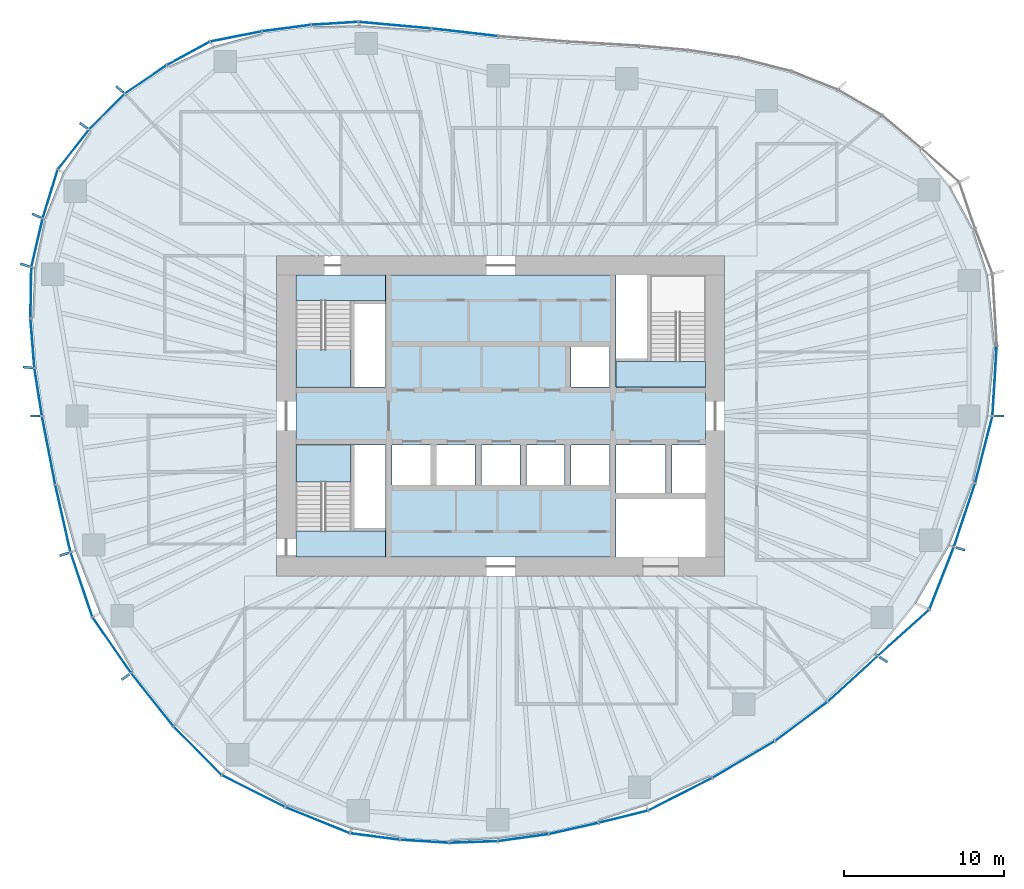
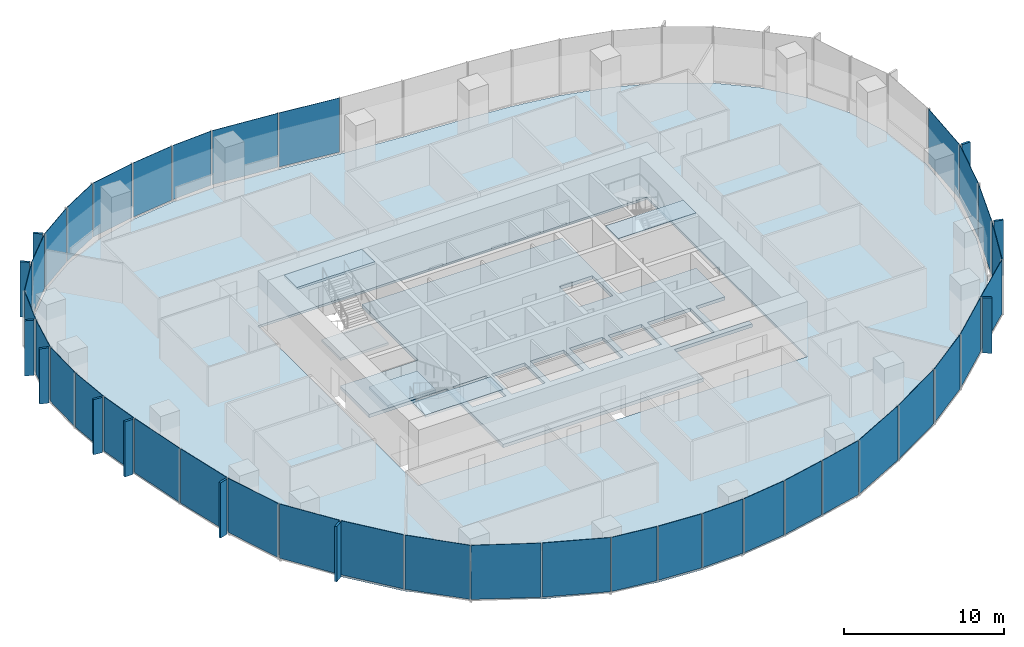
# One storey, part 7 of 18: 48 plates, 7 slabs, 19 elements without a shape of their own.
"""IFC4 building model written with IfcOpenShell, lengths in metres."""

from ifc_helpers import new_model, si_unit, direction, frame, origin, origin_2d, place, context, subcontext, project, spatial, polyline, rectangle, outline, extrude, material, layer, layer_set, type_object, element, aggregate, save


model = new_model("IFC4")

# Units and contexts
model_context = context("Model", 3, precision=1e-05, world=origin(), true_north=direction((0.0, 1.0)))
body_context = subcontext(model_context, "Body", "Model", "MODEL_VIEW")
ifc_project = project(units=[si_unit("LENGTHUNIT", "METRE"), si_unit("AREAUNIT", "SQUARE_METRE"), si_unit("VOLUMEUNIT", "CUBIC_METRE"), si_unit("PLANEANGLEUNIT", "RADIAN"), si_unit("MASSUNIT", "GRAM", prefix="KILO")], contexts=[model_context])

# Site, building, storey
site_placement = place(None, origin())
site = spatial("IfcSite", under=ifc_project, at=site_placement, CompositionType="ELEMENT")
building_placement = place(site_placement, origin())
building = spatial("IfcBuilding", under=site, at=building_placement, Name="Ghaith Harvest Tower", CompositionType="ELEMENT")
storey_placement = place(building_placement, frame((0.0, 0.0, 163.800048828125)))
storey = spatial("IfcBuildingStorey", under=building, at=storey_placement, Name="L35", CompositionType="ELEMENT", Elevation=163.800048828125)

# Curtain wall, plate
ifc_material_1 = material(Name="Black anodised aluminium and fritted glass", Category="aluminium")
curtain_wall_type = type_object("IfcCurtainWallType", Name="CW-L CURTAIN WALL", PredefinedType="NOTDEFINED", material=ifc_material_1)
curtain_wall_1_placement = place(storey_placement, origin())
curtain_wall_1 = element("IfcCurtainWall", 1, at=curtain_wall_1_placement, inside=storey, type_object=curtain_wall_type, Name="Curtain wall CW-L bay 01 L35", PredefinedType="NOTDEFINED")
ifc_material_2 = material(Name="Glass, dark solar-control fritted double glazed unit", Category="glass")
ifc_layer_1 = layer(ifc_material_2, 0.031982421875)
ifc_layer_set_1 = layer_set([ifc_layer_1], Name="CW-L VISION PANEL")
plate_type_1 = type_object("IfcPlateType", Name="CW-L VISION PANEL", PredefinedType="CURTAIN_PANEL", material=ifc_layer_set_1)
plate_1_placement = place(storey_placement, frame((30.86376953125, 2.19482421875, 0.079833984375), z_axis=(0.0, 0.0, 1.0), x_axis=(0.061379619468, 0.99811449359, 0.0)))
plate_1 = element("IfcPlate", 2, at=plate_1_placement, type_object=plate_type_1, Name="CW-L glass unit 1 bay 01 L35", PredefinedType="CURTAIN_PANEL", context=body_context, shape_type="SweptSolid", body=[
    extrude(rectangle(XDim=4.318115234375, YDim=0.031982421875, at=origin_2d()), origin(), (0.0, 0.0, 1.0), 4.1201171875),
])
aggregate(curtain_wall_1, [plate_1])

# Curtain wall, plates
curtain_wall_2_placement = place(storey_placement, origin())
curtain_wall_2 = element("IfcCurtainWall", 3, at=curtain_wall_2_placement, inside=storey, type_object=curtain_wall_type, Name="Curtain wall CW-L bay 06 L35", PredefinedType="NOTDEFINED")
plate_2_placement = place(storey_placement, frame((-2.24267578125, 23.968505859375, 0.079833984375), z_axis=(0.0, 0.0, 1.0), x_axis=(-0.993477024646, 0.114032458099, 0.0)))
plate_2 = element("IfcPlate", 4, at=plate_2_placement, type_object=plate_type_1, Name="CW-L glass unit 1 bay 06 L35", PredefinedType="CURTAIN_PANEL", context=body_context, shape_type="SweptSolid", body=[
    extrude(rectangle(XDim=4.10791015625, YDim=0.031982421875, at=origin_2d()), origin(), (0.0, 0.0, 1.0), 4.1201171875),
])
plate_3_placement = place(storey_placement, frame((-6.607666015625, 24.4140625, 0.079833984375), z_axis=(0.0, 0.0, 1.0), x_axis=(-0.995928776302, 0.090143621701, 0.0)))
plate_3 = element("IfcPlate", 5, at=plate_3_placement, type_object=plate_type_1, Name="CW-L glass unit 2 bay 06 L35", PredefinedType="CURTAIN_PANEL", context=body_context, shape_type="SweptSolid", body=[
    extrude(rectangle(XDim=4.508056640625, YDim=0.031982421875, at=origin_2d()), origin(), (0.0, 0.0, 1.0), 4.1201171875),
])
aggregate(curtain_wall_2, [plate_2, plate_3])

curtain_wall_3_placement = place(storey_placement, origin())
curtain_wall_3 = element("IfcCurtainWall", 6, at=curtain_wall_3_placement, inside=storey, type_object=curtain_wall_type, Name="Curtain wall CW-L bay 07 L35", PredefinedType="NOTDEFINED")
plate_4_placement = place(storey_placement, frame((-10.36669921875, 24.5302734375, 0.079833984375), z_axis=(0.0, 0.0, 1.0), x_axis=(-0.998119199641, -0.061303044853, 0.0)))
plate_4 = element("IfcPlate", 7, at=plate_4_placement, type_object=plate_type_1, Name="CW-L glass unit 1 bay 07 L35", PredefinedType="CURTAIN_PANEL", context=body_context, shape_type="SweptSolid", body=[
    extrude(rectangle(XDim=2.874267578125, YDim=0.031982421875, at=origin_2d()), origin(), (0.0, 0.0, 1.0), 4.1201171875),
])
plate_5_placement = place(storey_placement, frame((-13.382568359375, 24.23486328125, 0.079833984375), z_axis=(0.0, 0.0, 1.0), x_axis=(-0.991285895369, -0.131728029071, 0.0)))
plate_5 = element("IfcPlate", 8, at=plate_5_placement, type_object=plate_type_1, Name="CW-L glass unit 2 bay 07 L35", PredefinedType="CURTAIN_PANEL", context=body_context, shape_type="SweptSolid", body=[
    extrude(rectangle(XDim=3.02978515625, YDim=0.031982421875, at=origin_2d()), origin(), (0.0, 0.0, 1.0), 4.1201171875),
])
plate_6_placement = place(storey_placement, frame((-16.54443359375, 23.7099609375, 0.079833984375), z_axis=(0.0, 0.0, 1.0), x_axis=(-0.981037550101, -0.193817763096, 0.0)))
plate_6 = element("IfcPlate", 9, at=plate_6_placement, type_object=plate_type_1, Name="CW-L glass unit 3 bay 07 L35", PredefinedType="CURTAIN_PANEL", context=body_context, shape_type="SweptSolid", body=[
    extrude(rectangle(XDim=3.22412109375, YDim=0.031982421875, at=origin_2d()), origin(), (0.0, 0.0, 1.0), 4.1201171875),
])
aggregate(curtain_wall_3, [plate_4, plate_5, plate_6])

curtain_wall_4_placement = place(storey_placement, origin())
curtain_wall_4 = element("IfcCurtainWall", 10, at=curtain_wall_4_placement, inside=storey, type_object=curtain_wall_type, Name="Curtain wall CW-L bay 08 L35", PredefinedType="NOTDEFINED")
plate_7_placement = place(storey_placement, frame((-19.520263671875, 22.650634765625, 0.079833984375), z_axis=(0.0, 0.0, 1.0), x_axis=(-0.877940384665, -0.478769966659, 0.0)))
plate_7 = element("IfcPlate", 11, at=plate_7_placement, type_object=plate_type_1, Name="CW-L glass unit 1 bay 08 L35", PredefinedType="CURTAIN_PANEL", context=body_context, shape_type="SweptSolid", body=[
    extrude(rectangle(XDim=3.007080078125, YDim=0.031982421875, at=origin_2d()), origin(), (0.0, 0.0, 1.0), 4.1201171875),
])
plate_8_placement = place(storey_placement, frame((-22.182373046875, 21.025390625, 0.079833984375), z_axis=(0.0, 0.0, 1.0), x_axis=(-0.827674847773, -0.561207935051, 0.0)))
plate_8 = element("IfcPlate", 12, at=plate_8_placement, type_object=plate_type_1, Name="CW-L glass unit 2 bay 08 L35", PredefinedType="CURTAIN_PANEL", context=body_context, shape_type="SweptSolid", body=[
    extrude(rectangle(XDim=3.078369140625, YDim=0.031982421875, at=origin_2d()), origin(), (0.0, 0.0, 1.0), 4.1201171875),
])
plate_9_placement = place(storey_placement, frame((-24.603759765625, 19.01708984375, 0.079833984375), z_axis=(0.0, 0.0, 1.0), x_axis=(-0.704613943896, -0.709590861037, 0.0)))
plate_9 = element("IfcPlate", 13, at=plate_9_placement, type_object=plate_type_1, Name="CW-L glass unit 3 bay 08 L35", PredefinedType="CURTAIN_PANEL", context=body_context, shape_type="SweptSolid", body=[
    extrude(rectangle(XDim=3.0830078125, YDim=0.031982421875, at=origin_2d()), origin(), (0.0, 0.0, 1.0), 4.1201171875),
])
aggregate(curtain_wall_4, [plate_7, plate_8, plate_9])

curtain_wall_5_placement = place(storey_placement, origin())
curtain_wall_5 = element("IfcCurtainWall", 14, at=curtain_wall_5_placement, inside=storey, type_object=curtain_wall_type, Name="Curtain wall CW-L bay 09 L35", PredefinedType="NOTDEFINED")
plate_10_placement = place(storey_placement, frame((-26.69873046875, 16.644775390625, 0.079833984375), z_axis=(0.0, 0.0, 1.0), x_axis=(-0.617140806324, -0.786852734106, 0.0)))
plate_10 = element("IfcPlate", 15, at=plate_10_placement, type_object=plate_type_1, Name="CW-L glass unit 1 bay 09 L35", PredefinedType="CURTAIN_PANEL", context=body_context, shape_type="SweptSolid", body=[
    extrude(rectangle(XDim=3.09765625, YDim=0.031982421875, at=origin_2d()), origin(), (0.0, 0.0, 1.0), 4.1201171875),
])
plate_11_placement = place(storey_placement, frame((-28.14794921875, 13.869140625, 0.079833984375), z_axis=(0.0, 0.0, 1.0), x_axis=(-0.293802674087, -0.955866093498, 0.0)))
plate_11 = element("IfcPlate", 16, at=plate_11_placement, type_object=plate_type_1, Name="CW-L glass unit 2 bay 09 L35", PredefinedType="CURTAIN_PANEL", context=body_context, shape_type="SweptSolid", body=[
    extrude(rectangle(XDim=3.111328125, YDim=0.031982421875, at=origin_2d()), origin(), (0.0, 0.0, 1.0), 4.1201171875),
])
plate_12_placement = place(storey_placement, frame((-28.9716796875, 10.819091796875, 0.079833984375), z_axis=(0.0, 0.0, 1.0), x_axis=(-0.226698962458, -0.973964876379, 0.0)))
plate_12 = element("IfcPlate", 17, at=plate_12_placement, type_object=plate_type_1, Name="CW-L glass unit 3 bay 09 L35", PredefinedType="CURTAIN_PANEL", context=body_context, shape_type="SweptSolid", body=[
    extrude(rectangle(XDim=3.05126953125, YDim=0.031982421875, at=origin_2d()), origin(), (0.0, 0.0, 1.0), 4.1201171875),
])
aggregate(curtain_wall_5, [plate_10, plate_11, plate_12])

curtain_wall_6_placement = place(storey_placement, origin())
curtain_wall_6 = element("IfcCurtainWall", 18, at=curtain_wall_6_placement, inside=storey, type_object=curtain_wall_type, Name="Curtain wall CW-L bay 10 L35", PredefinedType="NOTDEFINED")
plate_13_placement = place(storey_placement, frame((-29.352294921875, 7.695068359375, 0.079833984375), z_axis=(0.0, 0.0, 1.0), x_axis=(-0.016034106433, -0.999871445452, 0.0)))
plate_13 = element("IfcPlate", 19, at=plate_13_placement, type_object=plate_type_1, Name="CW-L glass unit 1 bay 10 L35", PredefinedType="CURTAIN_PANEL", context=body_context, shape_type="SweptSolid", body=[
    extrude(rectangle(XDim=3.118408203125, YDim=0.031982421875, at=origin_2d()), origin(), (0.0, 0.0, 1.0), 4.1201171875),
])
plate_14_placement = place(storey_placement, frame((-29.25439453125, 4.54345703125, 0.079833984375), z_axis=(0.0, 0.0, 1.0), x_axis=(0.079273335663, -0.996852917061, 0.0)))
plate_14 = element("IfcPlate", 20, at=plate_14_placement, type_object=plate_type_1, Name="CW-L glass unit 2 bay 10 L35", PredefinedType="CURTAIN_PANEL", context=body_context, shape_type="SweptSolid", body=[
    extrude(rectangle(XDim=3.035400390625, YDim=0.031982421875, at=origin_2d()), origin(), (0.0, 0.0, 1.0), 4.1201171875),
])
plate_15_placement = place(storey_placement, frame((-28.896240234375, 1.495361328125, 0.079833984375), z_axis=(0.0, 0.0, 1.0), x_axis=(0.155172175389, -0.987887440949, 0.0)))
plate_15 = element("IfcPlate", 21, at=plate_15_placement, type_object=plate_type_1, Name="CW-L glass unit 3 bay 10 L35", PredefinedType="CURTAIN_PANEL", context=body_context, shape_type="SweptSolid", body=[
    extrude(rectangle(XDim=2.947265625, YDim=0.031982421875, at=origin_2d()), origin(), (0.0, 0.0, 1.0), 4.1201171875),
])
aggregate(curtain_wall_6, [plate_13, plate_14, plate_15])

curtain_wall_7_placement = place(storey_placement, origin())
curtain_wall_7 = element("IfcCurtainWall", 22, at=curtain_wall_7_placement, inside=storey, type_object=curtain_wall_type, Name="Curtain wall CW-L bay 11 L35", PredefinedType="NOTDEFINED")
plate_16_placement = place(storey_placement, frame((-28.24462890625, -2.152099609375, 0.079833984375), z_axis=(0.0, 0.0, 1.0), x_axis=(0.190044913274, -0.981775397399, 0.0)))
plate_16 = element("IfcPlate", 23, at=plate_16_placement, type_object=plate_type_1, Name="CW-L glass unit 1 bay 11 L35", PredefinedType="CURTAIN_PANEL", context=body_context, shape_type="SweptSolid", body=[
    extrude(rectangle(XDim=4.303955078125, YDim=0.031982421875, at=origin_2d()), origin(), (0.0, 0.0, 1.0), 4.1201171875),
])
plate_17_placement = place(storey_placement, frame((-27.351806640625, -6.41064453125, 0.079833984375), z_axis=(0.0, 0.0, 1.0), x_axis=(0.220483469245, -0.975390711351, 0.0)))
plate_17 = element("IfcPlate", 24, at=plate_17_placement, type_object=plate_type_1, Name="CW-L glass unit 2 bay 11 L35", PredefinedType="CURTAIN_PANEL", context=body_context, shape_type="SweptSolid", body=[
    extrude(rectangle(XDim=4.239501953125, YDim=0.031982421875, at=origin_2d()), origin(), (0.0, 0.0, 1.0), 4.1201171875),
])
aggregate(curtain_wall_7, [plate_16, plate_17])

curtain_wall_8_placement = place(storey_placement, origin())
curtain_wall_8 = element("IfcCurtainWall", 25, at=curtain_wall_8_placement, inside=storey, type_object=curtain_wall_type, Name="Curtain wall CW-L bay 12 L35", PredefinedType="NOTDEFINED")
plate_18_placement = place(storey_placement, frame((-26.194580078125, -10.537841796875, 0.079833984375), z_axis=(0.0, 0.0, 1.0), x_axis=(0.319477383729, -0.947593901039, 0.0)))
plate_18 = element("IfcPlate", 26, at=plate_18_placement, type_object=plate_type_1, Name="CW-L glass unit 1 bay 12 L35", PredefinedType="CURTAIN_PANEL", context=body_context, shape_type="SweptSolid", body=[
    extrude(rectangle(XDim=4.184326171875, YDim=0.031982421875, at=origin_2d()), origin(), (0.0, 0.0, 1.0), 4.1201171875),
])
plate_19_placement = place(storey_placement, frame((-24.3017578125, -14.312255859375, 0.079833984375), z_axis=(0.0, 0.0, 1.0), x_axis=(0.568347699633, -0.822788485774, 0.0)))
plate_19 = element("IfcPlate", 27, at=plate_19_placement, type_object=plate_type_1, Name="CW-L glass unit 2 bay 12 L35", PredefinedType="CURTAIN_PANEL", context=body_context, shape_type="SweptSolid", body=[
    extrude(rectangle(XDim=4.18359375, YDim=0.031982421875, at=origin_2d()), origin(), (0.0, 0.0, 1.0), 4.1201171875),
])
aggregate(curtain_wall_8, [plate_18, plate_19])

curtain_wall_9_placement = place(storey_placement, origin())
curtain_wall_9 = element("IfcCurtainWall", 28, at=curtain_wall_9_placement, inside=storey, type_object=curtain_wall_type, Name="Curtain wall CW-L bay 13 L35", PredefinedType="NOTDEFINED")
plate_20_placement = place(storey_placement, frame((-21.765625, -17.7314453125, 0.079833984375), z_axis=(0.0, 0.0, 1.0), x_axis=(0.622507360482, -0.782613944513, 0.0)))
plate_20 = element("IfcPlate", 29, at=plate_20_placement, type_object=plate_type_1, Name="CW-L glass unit 1 bay 13 L35", PredefinedType="CURTAIN_PANEL", context=body_context, shape_type="SweptSolid", body=[
    extrude(rectangle(XDim=4.175537109375, YDim=0.031982421875, at=origin_2d()), origin(), (0.0, 0.0, 1.0), 4.1201171875),
])
plate_21_placement = place(storey_placement, frame((-18.935791015625, -20.920166015625, 0.079833984375), z_axis=(0.0, 0.0, 1.0), x_axis=(0.702843151286, -0.711344856375, 0.0)))
plate_21 = element("IfcPlate", 30, at=plate_21_placement, type_object=plate_type_1, Name="CW-L glass unit 2 bay 13 L35", PredefinedType="CURTAIN_PANEL", context=body_context, shape_type="SweptSolid", body=[
    extrude(rectangle(XDim=4.203369140625, YDim=0.031982421875, at=origin_2d()), origin(), (0.0, 0.0, 1.0), 4.1201171875),
])
aggregate(curtain_wall_9, [plate_20, plate_21])

curtain_wall_10_placement = place(storey_placement, origin())
curtain_wall_10 = element("IfcCurtainWall", 31, at=curtain_wall_10_placement, inside=storey, type_object=curtain_wall_type, Name="Curtain wall CW-L bay 14 L35", PredefinedType="NOTDEFINED")
plate_22_placement = place(storey_placement, frame((-15.44677734375, -23.443115234375, 0.079833984375), z_axis=(0.0, 0.0, 1.0), x_axis=(0.893062297869, -0.449933030712, 0.0)))
plate_22 = element("IfcPlate", 32, at=plate_22_placement, type_object=plate_type_1, Name="CW-L glass unit 1 bay 14 L35", PredefinedType="CURTAIN_PANEL", context=body_context, shape_type="SweptSolid", body=[
    extrude(rectangle(XDim=4.362548828125, YDim=0.031982421875, at=origin_2d()), origin(), (0.0, 0.0, 1.0), 4.1201171875),
])
plate_23_placement = place(storey_placement, frame((-11.441162109375, -25.260498046875, 0.079833984375), z_axis=(0.0, 0.0, 1.0), x_axis=(0.927002522537, -0.375055093567, 0.0)))
plate_23 = element("IfcPlate", 33, at=plate_23_placement, type_object=plate_type_1, Name="CW-L glass unit 2 bay 14 L35", PredefinedType="CURTAIN_PANEL", context=body_context, shape_type="SweptSolid", body=[
    extrude(rectangle(XDim=4.282470703125, YDim=0.031982421875, at=origin_2d()), origin(), (0.0, 0.0, 1.0), 4.1201171875),
])
aggregate(curtain_wall_10, [plate_22, plate_23])

curtain_wall_11_placement = place(storey_placement, origin())
curtain_wall_11 = element("IfcCurtainWall", 34, at=curtain_wall_11_placement, inside=storey, type_object=curtain_wall_type, Name="Curtain wall CW-L bay 15 L35", PredefinedType="NOTDEFINED")
plate_24_placement = place(storey_placement, frame((-7.856689453125, -26.281005859375, 0.079833984375), z_axis=(0.0, 0.0, 1.0), x_axis=(0.99172348392, -0.128392100386, 0.0)))
plate_24 = element("IfcPlate", 35, at=plate_24_placement, type_object=plate_type_1, Name="CW-L glass unit 1 bay 15 L35", PredefinedType="CURTAIN_PANEL", context=body_context, shape_type="SweptSolid", body=[
    extrude(rectangle(XDim=3.07080078125, YDim=0.031982421875, at=origin_2d()), origin(), (0.0, 0.0, 1.0), 4.1201171875),
])
plate_25_placement = place(storey_placement, frame((-4.7568359375, -26.57958984375, 0.079833984375), z_axis=(0.0, 0.0, 1.0), x_axis=(0.998038280843, -0.062606628824, 0.0)))
plate_25 = element("IfcPlate", 36, at=plate_25_placement, type_object=plate_type_1, Name="CW-L glass unit 2 bay 15 L35", PredefinedType="CURTAIN_PANEL", context=body_context, shape_type="SweptSolid", body=[
    extrude(rectangle(XDim=3.001220703125, YDim=0.031982421875, at=origin_2d()), origin(), (0.0, 0.0, 1.0), 4.1201171875),
])
plate_26_placement = place(storey_placement, frame((-1.700439453125, -26.624755859375, 0.079833984375), z_axis=(0.0, 0.0, 1.0), x_axis=(0.999431515426, 0.033714180603, 0.0)))
plate_26 = element("IfcPlate", 37, at=plate_26_placement, type_object=plate_type_1, Name="CW-L glass unit 3 bay 15 L35", PredefinedType="CURTAIN_PANEL", context=body_context, shape_type="SweptSolid", body=[
    extrude(rectangle(XDim=2.958984375, YDim=0.031982421875, at=origin_2d()), origin(), (0.0, 0.0, 1.0), 4.1201171875),
])
aggregate(curtain_wall_11, [plate_24, plate_25, plate_26])

curtain_wall_12_placement = place(storey_placement, origin())
curtain_wall_12 = element("IfcCurtainWall", 38, at=curtain_wall_12_placement, inside=storey, type_object=curtain_wall_type, Name="Curtain wall CW-L bay 16 L35", PredefinedType="NOTDEFINED")
plate_27_placement = place(storey_placement, frame((1.4140625, -26.3515625, 0.079833984375), z_axis=(0.0, 0.0, 1.0), x_axis=(0.990448098003, 0.137886058621, 0.0)))
plate_27 = element("IfcPlate", 39, at=plate_27_placement, type_object=plate_type_1, Name="CW-L glass unit 1 bay 16 L35", PredefinedType="CURTAIN_PANEL", context=body_context, shape_type="SweptSolid", body=[
    extrude(rectangle(XDim=3.142578125, YDim=0.031982421875, at=origin_2d()), origin(), (0.0, 0.0, 1.0), 4.1201171875),
])
plate_28_placement = place(storey_placement, frame((4.565185546875, -25.77734375, 0.079833984375), z_axis=(0.0, 0.0, 1.0), x_axis=(0.975341754172, 0.220699937852, 0.0)))
plate_28 = element("IfcPlate", 40, at=plate_28_placement, type_object=plate_type_1, Name="CW-L glass unit 2 bay 16 L35", PredefinedType="CURTAIN_PANEL", context=body_context, shape_type="SweptSolid", body=[
    extrude(rectangle(XDim=3.10888671875, YDim=0.031982421875, at=origin_2d()), origin(), (0.0, 0.0, 1.0), 4.1201171875),
])
plate_29_placement = place(storey_placement, frame((7.66845703125, -25.0400390625, 0.079833984375), z_axis=(0.0, 0.0, 1.0), x_axis=(0.970384283801, 0.241566433413, 0.0)))
plate_29 = element("IfcPlate", 41, at=plate_29_placement, type_object=plate_type_1, Name="CW-L glass unit 3 bay 16 L35", PredefinedType="CURTAIN_PANEL", context=body_context, shape_type="SweptSolid", body=[
    extrude(rectangle(XDim=3.111083984375, YDim=0.031982421875, at=origin_2d()), origin(), (0.0, 0.0, 1.0), 4.1201171875),
])
aggregate(curtain_wall_12, [plate_27, plate_28, plate_29])

curtain_wall_13_placement = place(storey_placement, origin())
curtain_wall_13 = element("IfcCurtainWall", 42, at=curtain_wall_13_placement, inside=storey, type_object=curtain_wall_type, Name="Curtain wall CW-L bay 17 L35", PredefinedType="NOTDEFINED")
plate_30_placement = place(storey_placement, frame((11.220703125, -23.63427734375, 0.079833984375), z_axis=(0.0, 0.0, 1.0), x_axis=(0.891126766056, 0.453754434489, 0.0)))
plate_30 = element("IfcPlate", 43, at=plate_30_placement, type_object=plate_type_1, Name="CW-L glass unit 1 bay 17 L35", PredefinedType="CURTAIN_PANEL", context=body_context, shape_type="SweptSolid", body=[
    extrude(rectangle(XDim=4.417236328125, YDim=0.031982421875, at=origin_2d()), origin(), (0.0, 0.0, 1.0), 4.1201171875),
])
plate_31_placement = place(storey_placement, frame((15.17822265625, -21.46484375, 0.079833984375), z_axis=(0.0, 0.0, 1.0), x_axis=(0.861979497965, 0.506943137924, 0.0)))
plate_31 = element("IfcPlate", 44, at=plate_31_placement, type_object=plate_type_1, Name="CW-L glass unit 2 bay 17 L35", PredefinedType="CURTAIN_PANEL", context=body_context, shape_type="SweptSolid", body=[
    extrude(rectangle(XDim=4.453125, YDim=0.031982421875, at=origin_2d()), origin(), (0.0, 0.0, 1.0), 4.1201171875),
])
aggregate(curtain_wall_13, [plate_30, plate_31])

curtain_wall_14_placement = place(storey_placement, origin())
curtain_wall_14 = element("IfcCurtainWall", 45, at=curtain_wall_14_placement, inside=storey, type_object=curtain_wall_type, Name="Curtain wall CW-L bay 18 L35", PredefinedType="NOTDEFINED")
plate_32_placement = place(storey_placement, frame((18.78076171875, -19.08984375, 0.079833984375), z_axis=(0.0, 0.0, 1.0), x_axis=(0.802462370117, 0.596702727115, 0.0)))
plate_32 = element("IfcPlate", 46, at=plate_32_placement, type_object=plate_type_1, Name="CW-L glass unit 1 bay 18 L35", PredefinedType="CURTAIN_PANEL", context=body_context, shape_type="SweptSolid", body=[
    extrude(rectangle(XDim=4.029541015625, YDim=0.031982421875, at=origin_2d()), origin(), (0.0, 0.0, 1.0), 4.1201171875),
])
plate_33_placement = place(storey_placement, frame((21.9951171875, -16.428955078125, 0.079833984375), z_axis=(0.0, 0.0, 1.0), x_axis=(0.737201663563, 0.675672781189, 0.0)))
plate_33 = element("IfcPlate", 47, at=plate_33_placement, type_object=plate_type_1, Name="CW-L glass unit 2 bay 18 L35", PredefinedType="CURTAIN_PANEL", context=body_context, shape_type="SweptSolid", body=[
    extrude(rectangle(XDim=4.1669921875, YDim=0.031982421875, at=origin_2d()), origin(), (0.0, 0.0, 1.0), 4.1201171875),
])
aggregate(curtain_wall_14, [plate_32, plate_33])

curtain_wall_15_placement = place(storey_placement, origin())
curtain_wall_15 = element("IfcCurtainWall", 48, at=curtain_wall_15_placement, inside=storey, type_object=curtain_wall_type, Name="Curtain wall CW-L bay 19 L35", PredefinedType="NOTDEFINED")
plate_34_placement = place(storey_placement, frame((25.17333984375, -13.54345703125, 0.079833984375), z_axis=(0.0, 0.0, 1.0), x_axis=(0.743493028761, 0.668743684968, 0.0)))
plate_34 = element("IfcPlate", 49, at=plate_34_placement, type_object=plate_type_1, Name="CW-L glass unit 1 bay 19 L35", PredefinedType="CURTAIN_PANEL", context=body_context, shape_type="SweptSolid", body=[
    extrude(rectangle(XDim=4.2587890625, YDim=0.031982421875, at=origin_2d()), origin(), (0.0, 0.0, 1.0), 4.1201171875),
])
plate_35_placement = place(storey_placement, frame((27.552978515625, -10.138916015625, 0.079833984375), z_axis=(0.0, 0.0, 1.0), x_axis=(0.365226458984, 0.930918704108, 0.0)))
plate_35 = element("IfcPlate", 50, at=plate_35_placement, type_object=plate_type_1, Name="CW-L glass unit 2 bay 19 L35", PredefinedType="CURTAIN_PANEL", context=body_context, shape_type="SweptSolid", body=[
    extrude(rectangle(XDim=4.11767578125, YDim=0.031982421875, at=origin_2d()), origin(), (0.0, 0.0, 1.0), 4.1201171875),
])
aggregate(curtain_wall_15, [plate_34, plate_35])

curtain_wall_16_placement = place(storey_placement, origin())
curtain_wall_16 = element("IfcCurtainWall", 51, at=curtain_wall_16_placement, inside=storey, type_object=curtain_wall_type, Name="Curtain wall CW-L bay 20 L35", PredefinedType="NOTDEFINED")
plate_36_placement = place(storey_placement, frame((28.982666015625, -6.191650390625, 0.079833984375), z_axis=(0.0, 0.0, 1.0), x_axis=(0.315708038084, 0.948856382541, 0.0)))
plate_36 = element("IfcPlate", 52, at=plate_36_placement, type_object=plate_type_1, Name="CW-L glass unit 1 bay 20 L35", PredefinedType="CURTAIN_PANEL", context=body_context, shape_type="SweptSolid", body=[
    extrude(rectangle(XDim=4.12158203125, YDim=0.031982421875, at=origin_2d()), origin(), (0.0, 0.0, 1.0), 4.1201171875),
])
plate_37_placement = place(storey_placement, frame((30.187255859375, -2.09912109375, 0.079833984375), z_axis=(0.0, 0.0, 1.0), x_axis=(0.24974411022, 0.968311870944, 0.0)))
plate_37 = element("IfcPlate", 53, at=plate_37_placement, type_object=plate_type_1, Name="CW-L glass unit 2 bay 20 L35", PredefinedType="CURTAIN_PANEL", context=body_context, shape_type="SweptSolid", body=[
    extrude(rectangle(XDim=4.255615234375, YDim=0.031982421875, at=origin_2d()), origin(), (0.0, 0.0, 1.0), 4.1201171875),
])
aggregate(curtain_wall_16, [plate_36, plate_37])

# Slabs
ifc_material_3 = material(Name="Concrete C40/50", Category="concrete")
ifc_layer_2 = layer(ifc_material_3, 0.169921875)
ifc_layer_set_2 = layer_set([ifc_layer_2], Name="FLOOR SLAB 170")
slab_type_1 = type_object("IfcSlabType", Name="FLOOR SLAB 170", PredefinedType="FLOOR", material=ifc_layer_set_2)
slab_1_placement = place(storey_placement, frame((0.0, 0.0, -0.170166015625)))
element("IfcSlab", 54, at=slab_1_placement, inside=storey, type_object=slab_type_1, Name="Floor slab L35", PredefinedType="FLOOR", context=body_context, shape_type="SweptSolid", body=[
    extrude(outline(polyline([(30.458740234375, 0.0), (30.8798828125, 4.373046875), (30.439208984375, 8.797607421875), (29.52294921875, 11.671875), (28.0888671875, 14.32568359375), (26.179443359375, 16.660888671875), (23.7275390625, 18.718017578125), (20.97998046875, 20.3056640625), (18.0849609375, 21.4462890625), (14.79833984375, 22.27978515625), (11.617919921875, 22.757080078125), (8.604736328125, 23.017333984375), (4.125732421875, 23.272705078125), (-0.16162109375, 23.609619140625), (-4.302001953125, 24.089111328125), (-8.814208984375, 24.404541015625), (-11.788818359375, 24.331787109375), (-14.860595703125, 23.927978515625), (-17.938232421875, 23.097412109375), (-20.79248046875, 21.82470703125), (-23.398193359375, 20.06103515625), (-25.61962890625, 17.826416015625), (-27.33837890625, 15.204833984375), (-28.506591796875, 12.29638671875), (-29.12646484375, 9.230712890625), (-29.260498046875, 6.07177734375), (-29.01171875, 2.978271484375), (-28.541259765625, 0.0), (-27.70947265625, -4.285888671875), (-26.580078125, -8.423583984375), (-25.046875, -12.32861328125), (-22.99169921875, -15.997802734375), (-20.35400390625, -19.31396484375), (-17.1728515625, -22.11181640625), (-13.4052734375, -24.33740234375), (-9.317138671875, -25.79638671875), (-6.2666015625, -26.366455078125), (-3.204833984375, -26.556884765625), (-0.180908203125, -26.423583984375), (2.99609375, -26.010009765625), (6.09228515625, -25.308837890625), (9.09423828125, -24.326904296875), (13.163818359375, -22.510498046875), (17.054443359375, -20.22412109375), (20.33935546875, -17.784912109375), (23.400390625, -14.89208984375), (25.94775390625, -11.714111328125), (28.03125, -8.1015625), (29.527099609375, -4.181396484375), (30.458740234375, 0.0)]), holes=[polyline([(-14.0, -10.0), (14.0, -10.0), (14.0, 10.0), (-14.0, 10.0), (-14.0, -10.0)])]), origin(), (0.0, 0.0, 1.0), 0.170166015625),
])
ifc_material_4 = material(Name="Concrete C40/50", Category="concrete")
ifc_layer_3 = layer(ifc_material_4, 0.25)
ifc_layer_set_3 = layer_set([ifc_layer_3], Name="FLOOR SLAB 250")
slab_type_2 = type_object("IfcSlabType", Name="FLOOR SLAB 250", PredefinedType="FLOOR", material=ifc_layer_set_3)
slab_2_placement = place(storey_placement, frame((0.0, 0.0, -0.25)))
element("IfcSlab", 55, at=slab_2_placement, inside=storey, type_object=slab_type_2, Name="Core slab L35", PredefinedType="FLOOR", context=body_context, shape_type="SweptSolid", body=[
    extrude(outline(polyline([(-12.800048828125, 1.800048828125), (-7.199951171875, 1.800048828125), (-7.199951171875, 8.800048828125), (7.199951171875, 8.800048828125), (7.199951171875, 1.800048828125), (12.800048828125, 1.800048828125), (12.800048828125, -1.800048828125), (10.699951171875, -1.800048828125), (10.699951171875, -4.800048828125), (12.800048828125, -4.800048828125), (12.800048828125, -5.199951171875), (7.199951171875, -5.199951171875), (7.199951171875, -8.800048828125), (-7.199951171875, -8.800048828125), (-7.199951171875, -1.800048828125), (-12.800048828125, -1.800048828125), (-12.800048828125, 1.800048828125)]), holes=[polyline([(-4.39990234375, -4.300048828125), (-4.39990234375, -1.800048828125), (-6.800048828125, -1.800048828125), (-6.800048828125, -4.300048828125), (-4.39990234375, -4.300048828125)]), polyline([(-1.60009765625, -4.300048828125), (-1.60009765625, -1.800048828125), (-4.0, -1.800048828125), (-4.0, -4.300048828125), (-1.60009765625, -4.300048828125)]), polyline([(1.199951171875, -1.800048828125), (-1.199951171875, -1.800048828125), (-1.199951171875, -4.300048828125), (1.199951171875, -4.300048828125), (1.199951171875, -1.800048828125)]), polyline([(4.0, -4.300048828125), (4.0, -1.800048828125), (1.60009765625, -1.800048828125), (1.60009765625, -4.300048828125), (4.0, -4.300048828125)]), polyline([(10.300048828125, -4.800048828125), (10.300048828125, -1.800048828125), (7.199951171875, -1.800048828125), (7.199951171875, -4.800048828125), (10.300048828125, -4.800048828125)]), polyline([(6.800048828125, -1.800048828125), (4.39990234375, -1.800048828125), (4.39990234375, -4.300048828125), (6.800048828125, -4.300048828125), (6.800048828125, -1.800048828125)]), polyline([(6.800048828125, 1.800048828125), (6.800048828125, 4.300048828125), (4.39990234375, 4.300048828125), (4.39990234375, 1.800048828125), (6.800048828125, 1.800048828125)])]), origin(), (0.0, 0.0, 1.0), 0.25),
])

# Stair, slabs
ifc_material_5 = material(Name="Concrete C40/50, precast", Category="concrete")
stair_type = type_object("IfcStairType", Name="CORE STAIR 24R", PredefinedType="HALF_TURN_STAIR", material=ifc_material_5)
stair_1_placement = place(storey_placement, origin())
stair_1 = element("IfcStair", 56, at=stair_1_placement, inside=storey, type_object=stair_type, Name="Stair ST1 L35", PredefinedType="HALF_TURN_STAIR")
ifc_material_6 = material(Name="Concrete C40/50, precast", Category="concrete")
ifc_layer_4 = layer(ifc_material_6, 0.179931640625)
ifc_layer_set_4 = layer_set([ifc_layer_4], Name="STAIR LANDING 180")
slab_type_3 = type_object("IfcSlabType", Name="STAIR LANDING 180", PredefinedType="LANDING", material=ifc_layer_set_4)
slab_3_placement = place(storey_placement, frame((0.0, 0.0, 1.919921875)))
slab_3 = element("IfcSlab", 57, at=slab_3_placement, type_object=slab_type_3, Name="ST1 landing 1", PredefinedType="LANDING", context=body_context, shape_type="SweptSolid", body=[
    extrude(outline(polyline([(-12.800048828125, 4.139892578125), (-12.800048828125, 1.77490234375), (-9.35009765625, 1.77490234375), (-9.35009765625, 4.139892578125), (-12.800048828125, 4.139892578125)])), origin(), (0.0, 0.0, 1.0), 0.179931640625),
])
slab_4_placement = place(storey_placement, frame((0.0, 0.0, 4.02001953125)))
slab_4 = element("IfcSlab", 58, at=slab_4_placement, type_object=slab_type_3, Name="ST1 landing 2", PredefinedType="LANDING", context=body_context, shape_type="SweptSolid", body=[
    extrude(outline(polyline([(-12.800048828125, 8.800048828125), (-12.800048828125, 7.199951171875), (-7.199951171875, 7.199951171875), (-7.199951171875, 8.800048828125), (-12.800048828125, 8.800048828125)])), origin(), (0.0, 0.0, 1.0), 0.179931640625),
])
aggregate(stair_1, [slab_3, slab_4])

stair_2_placement = place(storey_placement, origin())
stair_2 = element("IfcStair", 59, at=stair_2_placement, inside=storey, type_object=stair_type, Name="Stair ST3 L35", PredefinedType="HALF_TURN_STAIR")
slab_5_placement = place(storey_placement, frame((0.0, 0.0, 1.919921875)))
slab_5 = element("IfcSlab", 60, at=slab_5_placement, type_object=slab_type_3, Name="ST3 landing 1", PredefinedType="LANDING", context=body_context, shape_type="SweptSolid", body=[
    extrude(outline(polyline([(-12.800048828125, -4.139892578125), (-12.800048828125, -1.77490234375), (-9.35009765625, -1.77490234375), (-9.35009765625, -4.139892578125), (-12.800048828125, -4.139892578125)])), origin(), (0.0, 0.0, 1.0), 0.179931640625),
])
slab_6_placement = place(storey_placement, frame((0.0, 0.0, 4.02001953125)))
slab_6 = element("IfcSlab", 61, at=slab_6_placement, type_object=slab_type_3, Name="ST3 landing 2", PredefinedType="LANDING", context=body_context, shape_type="SweptSolid", body=[
    extrude(outline(polyline([(-12.800048828125, -8.800048828125), (-12.800048828125, -7.199951171875), (-7.199951171875, -7.199951171875), (-7.199951171875, -8.800048828125), (-12.800048828125, -8.800048828125)])), origin(), (0.0, 0.0, 1.0), 0.179931640625),
])
aggregate(stair_2, [slab_5, slab_6])

# Stair, slab
stair_3_placement = place(storey_placement, origin())
stair_3 = element("IfcStair", 62, at=stair_3_placement, inside=storey, type_object=stair_type, Name="Stair ST2 L35", PredefinedType="HALF_TURN_STAIR")
slab_7_placement = place(storey_placement, frame((0.0, 0.0, 4.02001953125)))
slab_7 = element("IfcSlab", 63, at=slab_7_placement, type_object=slab_type_3, Name="ST2 landing 2", PredefinedType="LANDING", context=body_context, shape_type="SweptSolid", body=[
    extrude(outline(polyline([(12.800048828125, 1.800048828125), (12.800048828125, 3.39990234375), (7.199951171875, 3.39990234375), (7.199951171875, 1.800048828125), (12.800048828125, 1.800048828125)])), origin(), (0.0, 0.0, 1.0), 0.179931640625),
])
aggregate(stair_3, [slab_7])

# Plates
ifc_material_7 = material(Name="Glassfibre-reinforced concrete", Category="concrete")
ifc_layer_5 = layer(ifc_material_7, 0.14990234375)
ifc_layer_set_5 = layer_set([ifc_layer_5], Name="SUN-BREAKER FIN 600x150")
plate_type_2 = type_object("IfcPlateType", Name="SUN-BREAKER FIN 600x150", PredefinedType="USERDEFINED", material=ifc_layer_set_5)
for number, where, z_axis, x_axis, name in (
    (64, (31.148681640625, 0.0, 0.0), (0.0, 0.0, 1.0), (1.0, 0.0, 0.0), "Sun-breaker fin CW-L 1 bay 01 L35"),
    (65, (-23.808349609375, 20.41259765625, 0.0), (0.0, 0.0, 1.0), (-0.759169742643, 0.650892696115, 0.0), "Sun-breaker fin CW-L 3 bay 08 L35"),
    (66, (-26.06298828125, 18.134765625, 0.0), (0.0, 0.0, 1.0), (-0.820845486523, 0.571150319316, 0.0), "Sun-breaker fin CW-L 1 bay 09 L35"),
    (67, (-29.00244140625, 12.51025390625, 0.0), (0.0, 0.0, 1.0), (-0.918217993215, 0.396075392995, 0.0), "Sun-breaker fin CW-L 3 bay 09 L35"),
    (68, (-29.72705078125, 9.4208984375, 0.0), (0.0, 0.0, 1.0), (-0.953273219358, 0.302109531884, 0.0), "Sun-breaker fin CW-L 1 bay 10 L35"),
    (69, (-29.548828125, 3.033447265625, 0.0), (0.0, 0.0, 1.0), (-0.994771752973, 0.102123256344, 0.0), "Sun-breaker fin CW-L 3 bay 10 L35"),
    (70, (-29.081298828125, 0.0, 0.0), (0.0, 0.0, 1.0), (-1.0, -4.19e-10, 0.0), "Sun-breaker fin CW-L 1 bay 11 L35"),
    (71, (-27.276123046875, -8.644287109375, 0.0), (0.0, 0.0, 1.0), (-0.953273219416, -0.302109531701, 0.0), "Sun-breaker fin CW-L 1 bay 12 L35"),
    (72, (-23.434814453125, -16.30615234375, 0.0), (0.0, 0.0, 1.0), (-0.820845486622, -0.571150319173, 0.0), "Sun-breaker fin CW-L 1 bay 13 L35"),
    (73, (23.914794921875, -15.2197265625, 0.0), (0.0, 0.0, 1.0), (0.84364397137, -0.536903016913, 0.0), "Sun-breaker fin CW-L 1 bay 19 L35"),
    (74, (28.722900390625, -8.301513671875, 0.0), (0.0, 0.0, 1.0), (0.960680349932, -0.277656739976, 0.0), "Sun-breaker fin CW-L 1 bay 20 L35"),
):
    element("IfcPlate", number, at=place(storey_placement, frame(where, z_axis=z_axis, x_axis=x_axis)), inside=storey, type_object=plate_type_2, Name=name, ObjectType="SUN-BREAKER FIN", PredefinedType="USERDEFINED", context=body_context, shape_type="SweptSolid", body=[
        extrude(rectangle(XDim=0.60009765625, YDim=0.14990234375, at=origin_2d()), origin(), (0.0, 0.0, 1.0), 4.199951171875),
    ])

save(model, "model.ifc")
